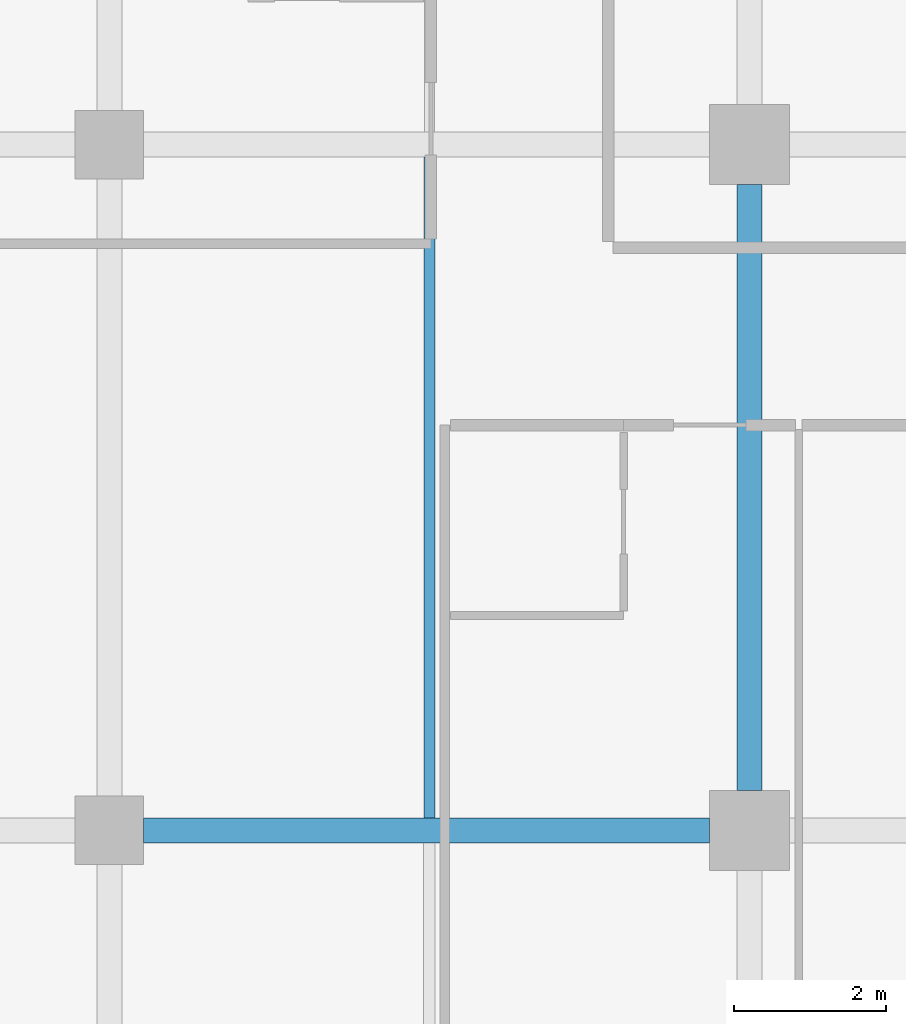
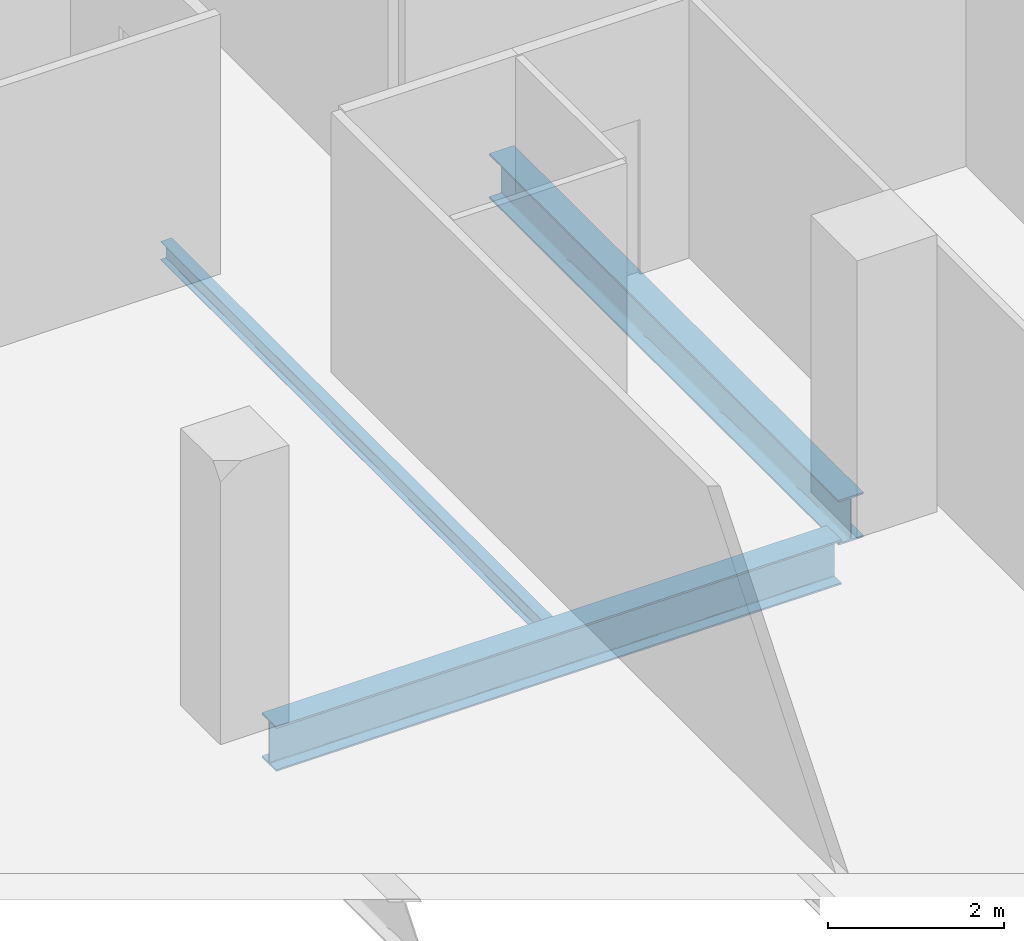
# One storey, part 6 of 40: 3 beams.
"""IFC4 building model written with IfcOpenShell, lengths in metres."""

from ifc_helpers import new_model, si_unit, direction, frame, origin, origin_2d, place, context, subcontext, project, spatial, i_section, extrude, material, material_profile, profile_set, type_object, element, save


model = new_model("IFC4")

# Units and contexts
model_context = context("Model", 3, precision=1e-05, world=origin(), true_north=direction((0.0, 1.0)))
body_context = subcontext(model_context, "Body", "Model", "MODEL_VIEW")
ifc_project = project(units=[si_unit("LENGTHUNIT", "METRE"), si_unit("AREAUNIT", "SQUARE_METRE"), si_unit("VOLUMEUNIT", "CUBIC_METRE"), si_unit("PLANEANGLEUNIT", "RADIAN"), si_unit("MASSUNIT", "GRAM", prefix="KILO")], contexts=[model_context])

# Site, building, storey
site_placement = place(None, origin())
site = spatial("IfcSite", under=ifc_project, at=site_placement, CompositionType="ELEMENT")
building_placement = place(site_placement, origin())
building = spatial("IfcBuilding", under=site, at=building_placement, Name="Maruvema Waterfront Hotel and Observation Tower", CompositionType="ELEMENT")
storey_placement = place(building_placement, frame((0.0, 0.0, 50.050048828125)))
storey = spatial("IfcBuildingStorey", under=building, at=storey_placement, Name="L11", CompositionType="ELEMENT", Elevation=50.050048828125)

# Beams
ifc_material_1 = material(Name="Steel ASTM A572 Grade 50", Category="steel")
ifc_material_profile_1 = material_profile(ifc_material_1, i_section(OverallWidth=0.326904296875, OverallDepth=0.6220703125, WebThickness=0.015380859375, FlangeThickness=0.0244140625, FilletRadius=0.01806640625, at=origin_2d()), Name="W610x195.0")
ifc_profile_set_1 = profile_set([ifc_material_profile_1], Name="Steel ASTM A572 Grade 50")
beam_type_1 = type_object("IfcBeamType", Name="Primary Floor Girder W610x195.0", PredefinedType="BEAM", material=ifc_profile_set_1)
beam_1_placement = place(storey_placement, frame((17.25, 9.0, -0.551025390625), z_axis=(1.0, 0.0, 0.0), x_axis=(0.0, 1.0, 0.0)))
element("IfcBeam", 1, at=beam_1_placement, inside=storey, type_object=beam_type_1, Name="L11 Floor Girder EW-07", PredefinedType="BEAM", context=body_context, shape_type="SweptSolid", body=[
    extrude(i_section(OverallWidth=0.326904296875, OverallDepth=0.6220703125, WebThickness=0.015380859375, FlangeThickness=0.0244140625, FilletRadius=0.01806640625, at=origin_2d()), origin(), (0.0, 0.0, 1.0), 7.425048828125),
])
beam_2_placement = place(storey_placement, frame((25.199951171875, 9.52490234375, -0.551025390625), z_axis=(0.0, 1.0, 0.0), x_axis=(-1.0, 0.0, 0.0)))
element("IfcBeam", 2, at=beam_2_placement, inside=storey, type_object=beam_type_1, Name="L11 Floor Girder NS-12", PredefinedType="BEAM", context=body_context, shape_type="SweptSolid", body=[
    extrude(i_section(OverallWidth=0.326904296875, OverallDepth=0.6220703125, WebThickness=0.015380859375, FlangeThickness=0.0244140625, FilletRadius=0.01806640625, at=origin_2d()), origin(), (0.0, 0.0, 1.0), 7.9501953125),
])
ifc_material_2 = material(Name="Steel ASTM A572 Grade 50", Category="steel")
ifc_material_profile_2 = material_profile(ifc_material_2, i_section(OverallWidth=0.14599609375, OverallDepth=0.258056640625, WebThickness=0.006103515625, FlangeThickness=0.009033203125, FilletRadius=0.012939453125, at=origin_2d()), Name="W250x32.7")
ifc_profile_set_2 = profile_set([ifc_material_profile_2], Name="Steel ASTM A572 Grade 50")
beam_type_2 = type_object("IfcBeamType", Name="Secondary Floor Joist W250x32.7", PredefinedType="JOIST", material=ifc_profile_set_2)
beam_3_placement = place(storey_placement, frame((21.0, 9.16357421875, -0.369140625), z_axis=(0.0, 1.0, 0.0), x_axis=(-1.0, 0.0, 0.0)))
element("IfcBeam", 3, at=beam_3_placement, inside=storey, type_object=beam_type_2, Name="L11 Secondary Floor Joist JS-06", PredefinedType="JOIST", context=body_context, shape_type="SweptSolid", body=[
    extrude(i_section(OverallWidth=0.14599609375, OverallDepth=0.258056640625, WebThickness=0.006103515625, FlangeThickness=0.009033203125, FilletRadius=0.012939453125, at=origin_2d()), origin(), (0.0, 0.0, 1.0), 8.6728515625),
])

save(model, "model.ifc")
